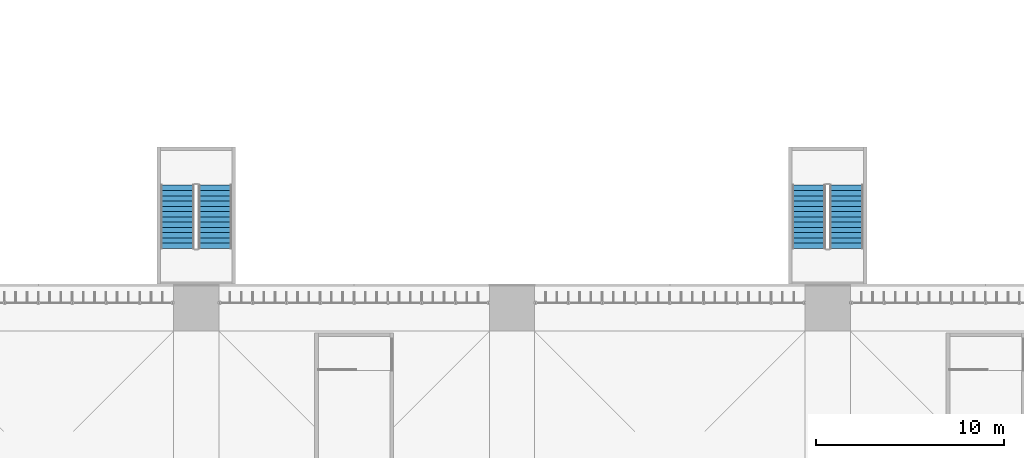
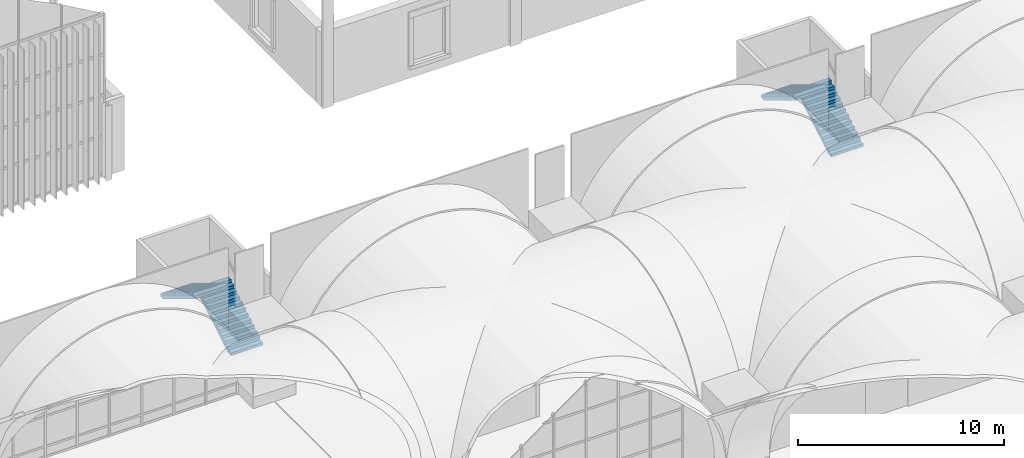
# One storey, part 108 of 169: 4 stair flights, 2 elements without a shape of their own.
"""IFC4 building model written with IfcOpenShell, lengths in metres."""

import ifcopenshell
import ifcopenshell.guid

model = None  # the IFC model being written
_history = None  # IfcOwnerHistory: only IFC2X3 demands one
_inside = {}  # id of a spatial element -> (the spatial element, [elements in it])
_under = {}  # id of a project, library or spatial element -> (it, [spatial elements below it])
_declared = {}  # id of a project -> (the project, [libraries it declares])
_typed = {}  # id of a type object -> (the type object, [elements of that type])
_made_of = {}  # id of a material, layer set ... -> (it, [elements and type objects made of it])


def new_model(schema):
    """Start an empty IFC model of exactly this schema.

    Asked for "IFC4X3", IfcOpenShell would pick the latest addendum, in which some entities
    have other attributes; the version numbers below select the first issue.
    IFC2X3 requires an IfcOwnerHistory on every rooted entity: one is made here for all.
    """
    global model, _history
    if schema == "IFC4X3":
        model = ifcopenshell.file(schema_version=(4, 3, 0, 0))
    else:
        model = ifcopenshell.file(schema=schema)
    _inside.clear()
    _under.clear()
    _declared.clear()
    _typed.clear()
    _made_of.clear()
    _history = None
    if model.schema == "IFC2X3":
        org = make("IfcOrganization", Name="unknown")
        user = make(
            "IfcPersonAndOrganization",
            ThePerson=make("IfcPerson", FamilyName="unknown"),
            TheOrganization=org,
        )
        app = make(
            "IfcApplication",
            ApplicationDeveloper=org,
            Version="unknown",
            ApplicationFullName="unknown",
            ApplicationIdentifier="unknown",
        )
        _history = make(
            "IfcOwnerHistory",
            OwningUser=user,
            OwningApplication=app,
            ChangeAction="ADDED",
            CreationDate=0,
        )
    return model


def make(cls, **values):
    """One entity of the class cls with the attributes given. An attribute that is None is left unset."""
    return model.create_entity(
        cls, **{name: value for name, value in values.items() if value is not None}
    )


def rooted(cls, **values):
    """An entity with a GlobalId (a new one), such as an element, a storey or a relation."""
    return make(cls, GlobalId=ifcopenshell.guid.new(), OwnerHistory=_history, **values)


def si_unit(unit_type, name, prefix=None):
    """IfcSIUnit, for example si_unit("LENGTHUNIT", "METRE", prefix="MILLI")."""
    return make("IfcSIUnit", UnitType=unit_type, Prefix=prefix, Name=name)


def assignment(units):
    """IfcUnitAssignment: the units of a project."""
    return None if units is None else make("IfcUnitAssignment", Units=units)


def point(xyz):
    """IfcCartesianPoint."""
    return None if xyz is None else make("IfcCartesianPoint", Coordinates=xyz)


def direction(xyz):
    """IfcDirection."""
    return None if xyz is None else make("IfcDirection", DirectionRatios=xyz)


def frame(location, z_axis=None, x_axis=None):
    """IfcAxis2Placement3D, a coordinate frame: its origin and axes. An axis left out is left unset."""
    return make(
        "IfcAxis2Placement3D",
        Location=point(location),
        Axis=direction(z_axis),
        RefDirection=direction(x_axis),
    )


def origin():
    """The frame at (0, 0, 0) with its axes left unset."""
    return frame((0.0, 0.0, 0.0))


def place(relative_to, where):
    """IfcLocalPlacement: puts the frame where relative to a parent placement (None: the world)."""
    return make(
        "IfcLocalPlacement", PlacementRelTo=relative_to, RelativePlacement=where
    )


def context(
    kind, dimensions, precision=None, world=None, true_north=None, identifier=None
):
    """IfcGeometricRepresentationContext, for example the 3D "Model" context."""
    return make(
        "IfcGeometricRepresentationContext",
        ContextIdentifier=identifier,
        ContextType=kind,
        CoordinateSpaceDimension=dimensions,
        Precision=precision,
        WorldCoordinateSystem=world,
        TrueNorth=true_north,
    )


def subcontext(parent, identifier, kind, view, scale=None):
    """IfcGeometricRepresentationSubContext, for example "Body" below "Model"."""
    return make(
        "IfcGeometricRepresentationSubContext",
        ContextIdentifier=identifier,
        ContextType=kind,
        ParentContext=parent,
        TargetScale=scale,
        TargetView=view,
    )


def project(units=None, contexts=None):
    """IfcProject with its units and contexts."""
    return rooted(
        "IfcProject",
        Name="project",
        RepresentationContexts=contexts,
        UnitsInContext=assignment(units),
    )


def spatial(cls, under=None, at=None, **own):
    """A site, building, storey or space (cls), placed at a placement, below another one or the project."""
    s = rooted(cls, ObjectPlacement=at, **own)
    if under is not None:
        _under.setdefault(under.id(), (under, []))[1].append(s)
    return s


def point_list(points):
    """IfcCartesianPointList2D or 3D."""
    cls = (
        "IfcCartesianPointList2D" if len(points[0]) == 2 else "IfcCartesianPointList3D"
    )
    return make(cls, CoordList=points)


def polygons(points, faces, closed=None, point_numbers=None):
    """IfcPolygonalFaceSet: a face is its outer loop, then its inner loops; points numbered from 1."""
    made = []
    for loops in faces:
        if len(loops) == 1:
            made.append(make("IfcIndexedPolygonalFace", CoordIndex=loops[0]))
        else:
            made.append(
                make(
                    "IfcIndexedPolygonalFaceWithVoids",
                    CoordIndex=loops[0],
                    InnerCoordIndices=loops[1:],
                )
            )
    return make(
        "IfcPolygonalFaceSet",
        Coordinates=point_list(points),
        Closed=closed,
        Faces=made,
        PnIndex=point_numbers,
    )


def shape(context_of_items, identifier, shape_type, items):
    """IfcShapeRepresentation: the items that make up one representation, for example the "Body"."""
    return make(
        "IfcShapeRepresentation",
        ContextOfItems=context_of_items,
        RepresentationIdentifier=identifier,
        RepresentationType=shape_type,
        Items=items,
    )


def material(Name=None, Category=None):
    """IfcMaterial."""
    return make("IfcMaterial", Name=Name, Category=Category)


def made_of(thing, what):
    """Note that an element or type object is made of a material, layer set ...; save() writes the relation."""
    if what is not None:
        _made_of.setdefault(what.id(), (what, []))[1].append(thing)
    return thing


def type_object(cls, material=None, **own):
    """A type object (cls), such as IfcWallType, which elements share."""
    return made_of(rooted(cls, **own), material)


def element(
    cls,
    number,
    at=None,
    inside=None,
    cuts=None,
    type_object=None,
    material=None,
    context=None,
    identifier="Body",
    shape_type=None,
    held_by="IfcProductDefinitionShape",
    body=None,
    shapes=None,
    **own,
):
    """One element of the class cls, such as IfcWall. Its Tag is "e" and its number.

    at: its placement. inside: the storey or other place that contains it. cuts: it is an
    opening in that element (IfcRelVoidsElement). A single representation is given by context,
    identifier, shape_type and body (its items); several are given by shapes. held_by: the class
    of the entity that holds the representations. save() writes the other relations.
    """
    e = rooted(cls, Tag="e%d" % number, ObjectPlacement=at, **own)
    if body is not None:
        shapes = [shape(context, identifier, shape_type, body)]
    if shapes is not None:
        e.Representation = make(held_by, Representations=shapes)
    if inside is not None:
        _inside.setdefault(inside.id(), (inside, []))[1].append(e)
    if cuts is not None:
        rooted(
            "IfcRelVoidsElement", RelatingBuildingElement=cuts, RelatedOpeningElement=e
        )
    if type_object is not None:
        _typed.setdefault(type_object.id(), (type_object, []))[1].append(e)
    return made_of(e, material)


def aggregate(whole, parts):
    """IfcRelAggregates: a whole, such as a stair, and the parts it consists of."""
    return rooted("IfcRelAggregates", RelatingObject=whole, RelatedObjects=parts)


def save(model, path):
    """Write the relations noted so far, then the file.

    IfcRelAggregates (storeys below a building ...), IfcRelContainedInSpatialStructure (elements
    in a storey), IfcRelDefinesByType, IfcRelAssociatesMaterial and IfcRelDeclares: one each for
    every whole, place, type object, material and project.
    """
    for whole, parts in _under.values():
        aggregate(whole, parts)
    for where, things in _inside.values():
        rooted(
            "IfcRelContainedInSpatialStructure",
            RelatedElements=things,
            RelatingStructure=where,
        )
    for kind, things in _typed.values():
        rooted("IfcRelDefinesByType", RelatedObjects=things, RelatingType=kind)
    for what, things in _made_of.values():
        rooted("IfcRelAssociatesMaterial", RelatedObjects=things, RelatingMaterial=what)
    for by, libraries in _declared.values():
        rooted("IfcRelDeclares", RelatingContext=by, RelatedDefinitions=libraries)
    model.write(path)


model = new_model("IFC4")

# Units and contexts
model_context = context("Model", 3, precision=1e-05, world=origin(), true_north=direction((0.0, 1.0)))
body_context = subcontext(model_context, "Body", "Model", "MODEL_VIEW")
ifc_project = project(units=[si_unit("LENGTHUNIT", "METRE"), si_unit("AREAUNIT", "SQUARE_METRE"), si_unit("VOLUMEUNIT", "CUBIC_METRE"), si_unit("PLANEANGLEUNIT", "RADIAN"), si_unit("MASSUNIT", "GRAM", prefix="KILO")], contexts=[model_context])

# Site, building, storey
site_placement = place(None, origin())
site = spatial("IfcSite", under=ifc_project, at=site_placement, CompositionType="ELEMENT")
building_placement = place(site_placement, origin())
building = spatial("IfcBuilding", under=site, at=building_placement, Name="Verrick Yard Athletic Hall", CompositionType="ELEMENT")
storey_placement = place(building_placement, frame((0.0, 0.0, 4.39990234375)))
storey = spatial("IfcBuildingStorey", under=building, at=storey_placement, Name="L01", CompositionType="ELEMENT", Elevation=4.39990234375)

# Stair, stair flights
ifc_material = material(Name="Concrete 35 MPa", Category="concrete")
stair_type = type_object("IfcStairType", Name="Stair ST3 1800 wide 26 risers", PredefinedType="HALF_TURN_STAIR", material=ifc_material)
stair_1_placement = place(storey_placement, origin())
stair_1 = element("IfcStair", 1, at=stair_1_placement, inside=storey, type_object=stair_type, Name="North deck escape 2 stair L01", PredefinedType="HALF_TURN_STAIR")
stair_flight_type = type_object("IfcStairFlightType", Name="Stair flight SF3 1800 wide 13 risers", PredefinedType="STRAIGHT", material=ifc_material)
stair_flight_1_placement = place(storey_placement, frame((108.199951171875, 56.0, 0.0), z_axis=(0.0, 0.0, 1.0), x_axis=(0.0, 1.0, 0.0)))
stair_flight_1 = element("IfcStairFlight", 2, at=stair_flight_1_placement, type_object=stair_flight_type, Name="ST3 flight 1", NumberOfRisers=13, NumberOfTreads=12, PredefinedType="STRAIGHT", RiserHeight=0.169230769, TreadLength=0.28, context=body_context, shape_type="Tessellation", body=[
    polygons([(0.28980123017674275, -0.89990234375, 0.0), (3.3600000000000003, -0.89990234375, 1.855614638571585), (3.3600000000000003, -0.89990234375, 2.030769228), (3.08, -0.89990234375, 2.030769228), (3.08, -0.89990234375, 1.8615384590000001), (2.8000000000000003, -0.89990234375, 1.8615384590000001), (2.8000000000000003, -0.89990234375, 1.69230769), (2.5200000000000005, -0.89990234375, 1.69230769), (2.5200000000000005, -0.89990234375, 1.523076921), (2.24, -0.89990234375, 1.523076921), (2.24, -0.89990234375, 1.353846152), (1.9600000000000002, -0.89990234375, 1.353846152), (1.9600000000000002, -0.89990234375, 1.1846153830000001), (1.6800000000000002, -0.89990234375, 1.1846153830000001), (1.6800000000000002, -0.89990234375, 1.015384614), (1.4000000000000001, -0.89990234375, 1.015384614), (1.4000000000000001, -0.89990234375, 0.846153845), (1.12, -0.89990234375, 0.846153845), (1.12, -0.89990234375, 0.676923076), (0.8400000000000001, -0.89990234375, 0.676923076), (0.8400000000000001, -0.89990234375, 0.507692307), (0.56, -0.89990234375, 0.507692307), (0.56, -0.89990234375, 0.338461538), (0.28, -0.89990234375, 0.338461538), (0.28, -0.89990234375, 0.169230769), (0.0, -0.89990234375, 0.169230769), (0.0, -0.89990234375, 0.0), (0.28980123017674275, -0.179931640625, 0.0), (3.3600000000000003, -0.179931640625, 1.855614638571585), (3.3600000000000003, -0.179931640625, 2.030769228), (3.08, -0.179931640625, 2.030769228), (3.08, -0.179931640625, 1.8615384590000001), (2.8000000000000003, -0.179931640625, 1.8615384590000001), (2.8000000000000003, -0.179931640625, 1.69230769), (2.5200000000000005, -0.179931640625, 1.69230769), (2.5200000000000005, -0.179931640625, 1.523076921), (2.24, -0.179931640625, 1.523076921), (2.24, -0.179931640625, 1.353846152), (1.9600000000000002, -0.179931640625, 1.353846152), (1.9600000000000002, -0.179931640625, 1.1846153830000001), (1.6800000000000002, -0.179931640625, 1.1846153830000001), (1.6800000000000002, -0.179931640625, 1.015384614), (1.4000000000000001, -0.179931640625, 1.015384614), (1.4000000000000001, -0.179931640625, 0.846153845), (1.12, -0.179931640625, 0.846153845), (1.12, -0.179931640625, 0.676923076), (0.8400000000000001, -0.179931640625, 0.676923076), (0.8400000000000001, -0.179931640625, 0.507692307), (0.56, -0.179931640625, 0.507692307), (0.56, -0.179931640625, 0.338461538), (0.28, -0.179931640625, 0.338461538), (0.28, -0.179931640625, 0.169230769), (0.0, -0.179931640625, 0.169230769), (0.0, -0.179931640625, 0.0), (0.28980123017674275, 0.179931640625, 0.0), (3.3600000000000003, 0.179931640625, 1.855614638571585), (3.3600000000000003, 0.179931640625, 2.030769228), (3.08, 0.179931640625, 2.030769228), (3.08, 0.179931640625, 1.8615384590000001), (2.8000000000000003, 0.179931640625, 1.8615384590000001), (2.8000000000000003, 0.179931640625, 1.69230769), (2.5200000000000005, 0.179931640625, 1.69230769), (2.5200000000000005, 0.179931640625, 1.523076921), (2.24, 0.179931640625, 1.523076921), (2.24, 0.179931640625, 1.353846152), (1.9600000000000002, 0.179931640625, 1.353846152), (1.9600000000000002, 0.179931640625, 1.1846153830000001), (1.6800000000000002, 0.179931640625, 1.1846153830000001), (1.6800000000000002, 0.179931640625, 1.015384614), (1.4000000000000001, 0.179931640625, 1.015384614), (1.4000000000000001, 0.179931640625, 0.846153845), (1.12, 0.179931640625, 0.846153845), (1.12, 0.179931640625, 0.676923076), (0.8400000000000001, 0.179931640625, 0.676923076), (0.8400000000000001, 0.179931640625, 0.507692307), (0.56, 0.179931640625, 0.507692307), (0.56, 0.179931640625, 0.338461538), (0.28, 0.179931640625, 0.338461538), (0.28, 0.179931640625, 0.169230769), (0.0, 0.179931640625, 0.169230769), (0.0, 0.179931640625, 0.0), (0.28980123017674275, 0.89990234375, 0.0), (3.3600000000000003, 0.89990234375, 1.855614638571585), (3.3600000000000003, 0.89990234375, 2.030769228), (3.08, 0.89990234375, 2.030769228), (3.08, 0.89990234375, 1.8615384590000001), (2.8000000000000003, 0.89990234375, 1.8615384590000001), (2.8000000000000003, 0.89990234375, 1.69230769), (2.5200000000000005, 0.89990234375, 1.69230769), (2.5200000000000005, 0.89990234375, 1.523076921), (2.24, 0.89990234375, 1.523076921), (2.24, 0.89990234375, 1.353846152), (1.9600000000000002, 0.89990234375, 1.353846152), (1.9600000000000002, 0.89990234375, 1.1846153830000001), (1.6800000000000002, 0.89990234375, 1.1846153830000001), (1.6800000000000002, 0.89990234375, 1.015384614), (1.4000000000000001, 0.89990234375, 1.015384614), (1.4000000000000001, 0.89990234375, 0.846153845), (1.12, 0.89990234375, 0.846153845), (1.12, 0.89990234375, 0.676923076), (0.8400000000000001, 0.89990234375, 0.676923076), (0.8400000000000001, 0.89990234375, 0.507692307), (0.56, 0.89990234375, 0.507692307), (0.56, 0.89990234375, 0.338461538), (0.28, 0.89990234375, 0.338461538), (0.28, 0.89990234375, 0.169230769), (0.0, 0.89990234375, 0.169230769), (0.0, 0.89990234375, 0.0)], [[[1, 2, 3, 4, 5, 6, 7, 8, 9, 10, 11, 12, 13, 14, 15, 16, 17, 18, 19, 20, 21, 22, 23, 24, 25, 26, 27]], [[108, 107, 106, 105, 104, 103, 102, 101, 100, 99, 98, 97, 96, 95, 94, 93, 92, 91, 90, 89, 88, 87, 86, 85, 84, 83, 82]], [[1, 28, 29, 2]], [[2, 29, 30, 3]], [[3, 30, 31, 4]], [[4, 31, 32, 5]], [[5, 32, 33, 6]], [[6, 33, 34, 7]], [[7, 34, 35, 8]], [[8, 35, 36, 9]], [[9, 36, 37, 10]], [[10, 37, 38, 11]], [[11, 38, 39, 12]], [[12, 39, 40, 13]], [[13, 40, 41, 14]], [[14, 41, 42, 15]], [[15, 42, 43, 16]], [[16, 43, 44, 17]], [[17, 44, 45, 18]], [[18, 45, 46, 19]], [[19, 46, 47, 20]], [[20, 47, 48, 21]], [[21, 48, 49, 22]], [[22, 49, 50, 23]], [[23, 50, 51, 24]], [[24, 51, 52, 25]], [[25, 52, 53, 26]], [[26, 53, 54, 27]], [[27, 54, 28, 1]], [[28, 55, 56, 29]], [[29, 56, 57, 30]], [[30, 57, 58, 31]], [[31, 58, 59, 32]], [[32, 59, 60, 33]], [[33, 60, 61, 34]], [[34, 61, 62, 35]], [[35, 62, 63, 36]], [[36, 63, 64, 37]], [[37, 64, 65, 38]], [[38, 65, 66, 39]], [[39, 66, 67, 40]], [[40, 67, 68, 41]], [[41, 68, 69, 42]], [[42, 69, 70, 43]], [[43, 70, 71, 44]], [[44, 71, 72, 45]], [[45, 72, 73, 46]], [[46, 73, 74, 47]], [[47, 74, 75, 48]], [[48, 75, 76, 49]], [[49, 76, 77, 50]], [[50, 77, 78, 51]], [[51, 78, 79, 52]], [[52, 79, 80, 53]], [[53, 80, 81, 54]], [[54, 81, 55, 28]], [[55, 82, 83, 56]], [[56, 83, 84, 57]], [[57, 84, 85, 58]], [[58, 85, 86, 59]], [[59, 86, 87, 60]], [[60, 87, 88, 61]], [[61, 88, 89, 62]], [[62, 89, 90, 63]], [[63, 90, 91, 64]], [[64, 91, 92, 65]], [[65, 92, 93, 66]], [[66, 93, 94, 67]], [[67, 94, 95, 68]], [[68, 95, 96, 69]], [[69, 96, 97, 70]], [[70, 97, 98, 71]], [[71, 98, 99, 72]], [[72, 99, 100, 73]], [[73, 100, 101, 74]], [[74, 101, 102, 75]], [[75, 102, 103, 76]], [[76, 103, 104, 77]], [[77, 104, 105, 78]], [[78, 105, 106, 79]], [[79, 106, 107, 80]], [[80, 107, 108, 81]], [[81, 108, 82, 55]]], closed=True),
])
stair_flight_2_placement = place(storey_placement, frame((106.199951171875, 59.360107421875, 2.2001953125), z_axis=(0.0, 0.0, 1.0), x_axis=(0.0, -1.0, 0.0)))
stair_flight_2 = element("IfcStairFlight", 3, at=stair_flight_2_placement, type_object=stair_flight_type, Name="ST3 flight 2", NumberOfRisers=13, NumberOfTreads=12, PredefinedType="STRAIGHT", RiserHeight=0.169230769, TreadLength=0.28, context=body_context, shape_type="Tessellation", body=[
    polygons([(0.28980123017674275, -0.89990234375, 0.0), (3.3600000000000003, -0.89990234375, 1.855614638571585), (3.3600000000000003, -0.89990234375, 2.030769228), (3.08, -0.89990234375, 2.030769228), (3.08, -0.89990234375, 1.8615384590000001), (2.8000000000000003, -0.89990234375, 1.8615384590000001), (2.8000000000000003, -0.89990234375, 1.69230769), (2.5200000000000005, -0.89990234375, 1.69230769), (2.5200000000000005, -0.89990234375, 1.523076921), (2.24, -0.89990234375, 1.523076921), (2.24, -0.89990234375, 1.353846152), (1.9600000000000002, -0.89990234375, 1.353846152), (1.9600000000000002, -0.89990234375, 1.1846153830000001), (1.6800000000000002, -0.89990234375, 1.1846153830000001), (1.6800000000000002, -0.89990234375, 1.015384614), (1.4000000000000001, -0.89990234375, 1.015384614), (1.4000000000000001, -0.89990234375, 0.846153845), (1.12, -0.89990234375, 0.846153845), (1.12, -0.89990234375, 0.676923076), (0.8400000000000001, -0.89990234375, 0.676923076), (0.8400000000000001, -0.89990234375, 0.507692307), (0.56, -0.89990234375, 0.507692307), (0.56, -0.89990234375, 0.338461538), (0.28, -0.89990234375, 0.338461538), (0.28, -0.89990234375, 0.169230769), (0.0, -0.89990234375, 0.169230769), (0.0, -0.89990234375, 0.0), (0.28980123017674275, -0.179931640625, 0.0), (3.3600000000000003, -0.179931640625, 1.855614638571585), (3.3600000000000003, -0.179931640625, 2.030769228), (3.08, -0.179931640625, 2.030769228), (3.08, -0.179931640625, 1.8615384590000001), (2.8000000000000003, -0.179931640625, 1.8615384590000001), (2.8000000000000003, -0.179931640625, 1.69230769), (2.5200000000000005, -0.179931640625, 1.69230769), (2.5200000000000005, -0.179931640625, 1.523076921), (2.24, -0.179931640625, 1.523076921), (2.24, -0.179931640625, 1.353846152), (1.9600000000000002, -0.179931640625, 1.353846152), (1.9600000000000002, -0.179931640625, 1.1846153830000001), (1.6800000000000002, -0.179931640625, 1.1846153830000001), (1.6800000000000002, -0.179931640625, 1.015384614), (1.4000000000000001, -0.179931640625, 1.015384614), (1.4000000000000001, -0.179931640625, 0.846153845), (1.12, -0.179931640625, 0.846153845), (1.12, -0.179931640625, 0.676923076), (0.8400000000000001, -0.179931640625, 0.676923076), (0.8400000000000001, -0.179931640625, 0.507692307), (0.56, -0.179931640625, 0.507692307), (0.56, -0.179931640625, 0.338461538), (0.28, -0.179931640625, 0.338461538), (0.28, -0.179931640625, 0.169230769), (0.0, -0.179931640625, 0.169230769), (0.0, -0.179931640625, 0.0), (0.28980123017674275, 0.179931640625, 0.0), (3.3600000000000003, 0.179931640625, 1.855614638571585), (3.3600000000000003, 0.179931640625, 2.030769228), (3.08, 0.179931640625, 2.030769228), (3.08, 0.179931640625, 1.8615384590000001), (2.8000000000000003, 0.179931640625, 1.8615384590000001), (2.8000000000000003, 0.179931640625, 1.69230769), (2.5200000000000005, 0.179931640625, 1.69230769), (2.5200000000000005, 0.179931640625, 1.523076921), (2.24, 0.179931640625, 1.523076921), (2.24, 0.179931640625, 1.353846152), (1.9600000000000002, 0.179931640625, 1.353846152), (1.9600000000000002, 0.179931640625, 1.1846153830000001), (1.6800000000000002, 0.179931640625, 1.1846153830000001), (1.6800000000000002, 0.179931640625, 1.015384614), (1.4000000000000001, 0.179931640625, 1.015384614), (1.4000000000000001, 0.179931640625, 0.846153845), (1.12, 0.179931640625, 0.846153845), (1.12, 0.179931640625, 0.676923076), (0.8400000000000001, 0.179931640625, 0.676923076), (0.8400000000000001, 0.179931640625, 0.507692307), (0.56, 0.179931640625, 0.507692307), (0.56, 0.179931640625, 0.338461538), (0.28, 0.179931640625, 0.338461538), (0.28, 0.179931640625, 0.169230769), (0.0, 0.179931640625, 0.169230769), (0.0, 0.179931640625, 0.0), (0.28980123017674275, 0.89990234375, 0.0), (3.3600000000000003, 0.89990234375, 1.855614638571585), (3.3600000000000003, 0.89990234375, 2.030769228), (3.08, 0.89990234375, 2.030769228), (3.08, 0.89990234375, 1.8615384590000001), (2.8000000000000003, 0.89990234375, 1.8615384590000001), (2.8000000000000003, 0.89990234375, 1.69230769), (2.5200000000000005, 0.89990234375, 1.69230769), (2.5200000000000005, 0.89990234375, 1.523076921), (2.24, 0.89990234375, 1.523076921), (2.24, 0.89990234375, 1.353846152), (1.9600000000000002, 0.89990234375, 1.353846152), (1.9600000000000002, 0.89990234375, 1.1846153830000001), (1.6800000000000002, 0.89990234375, 1.1846153830000001), (1.6800000000000002, 0.89990234375, 1.015384614), (1.4000000000000001, 0.89990234375, 1.015384614), (1.4000000000000001, 0.89990234375, 0.846153845), (1.12, 0.89990234375, 0.846153845), (1.12, 0.89990234375, 0.676923076), (0.8400000000000001, 0.89990234375, 0.676923076), (0.8400000000000001, 0.89990234375, 0.507692307), (0.56, 0.89990234375, 0.507692307), (0.56, 0.89990234375, 0.338461538), (0.28, 0.89990234375, 0.338461538), (0.28, 0.89990234375, 0.169230769), (0.0, 0.89990234375, 0.169230769), (0.0, 0.89990234375, 0.0)], [[[1, 2, 3, 4, 5, 6, 7, 8, 9, 10, 11, 12, 13, 14, 15, 16, 17, 18, 19, 20, 21, 22, 23, 24, 25, 26, 27]], [[108, 107, 106, 105, 104, 103, 102, 101, 100, 99, 98, 97, 96, 95, 94, 93, 92, 91, 90, 89, 88, 87, 86, 85, 84, 83, 82]], [[1, 28, 29, 2]], [[2, 29, 30, 3]], [[3, 30, 31, 4]], [[4, 31, 32, 5]], [[5, 32, 33, 6]], [[6, 33, 34, 7]], [[7, 34, 35, 8]], [[8, 35, 36, 9]], [[9, 36, 37, 10]], [[10, 37, 38, 11]], [[11, 38, 39, 12]], [[12, 39, 40, 13]], [[13, 40, 41, 14]], [[14, 41, 42, 15]], [[15, 42, 43, 16]], [[16, 43, 44, 17]], [[17, 44, 45, 18]], [[18, 45, 46, 19]], [[19, 46, 47, 20]], [[20, 47, 48, 21]], [[21, 48, 49, 22]], [[22, 49, 50, 23]], [[23, 50, 51, 24]], [[24, 51, 52, 25]], [[25, 52, 53, 26]], [[26, 53, 54, 27]], [[27, 54, 28, 1]], [[28, 55, 56, 29]], [[29, 56, 57, 30]], [[30, 57, 58, 31]], [[31, 58, 59, 32]], [[32, 59, 60, 33]], [[33, 60, 61, 34]], [[34, 61, 62, 35]], [[35, 62, 63, 36]], [[36, 63, 64, 37]], [[37, 64, 65, 38]], [[38, 65, 66, 39]], [[39, 66, 67, 40]], [[40, 67, 68, 41]], [[41, 68, 69, 42]], [[42, 69, 70, 43]], [[43, 70, 71, 44]], [[44, 71, 72, 45]], [[45, 72, 73, 46]], [[46, 73, 74, 47]], [[47, 74, 75, 48]], [[48, 75, 76, 49]], [[49, 76, 77, 50]], [[50, 77, 78, 51]], [[51, 78, 79, 52]], [[52, 79, 80, 53]], [[53, 80, 81, 54]], [[54, 81, 55, 28]], [[55, 82, 83, 56]], [[56, 83, 84, 57]], [[57, 84, 85, 58]], [[58, 85, 86, 59]], [[59, 86, 87, 60]], [[60, 87, 88, 61]], [[61, 88, 89, 62]], [[62, 89, 90, 63]], [[63, 90, 91, 64]], [[64, 91, 92, 65]], [[65, 92, 93, 66]], [[66, 93, 94, 67]], [[67, 94, 95, 68]], [[68, 95, 96, 69]], [[69, 96, 97, 70]], [[70, 97, 98, 71]], [[71, 98, 99, 72]], [[72, 99, 100, 73]], [[73, 100, 101, 74]], [[74, 101, 102, 75]], [[75, 102, 103, 76]], [[76, 103, 104, 77]], [[77, 104, 105, 78]], [[78, 105, 106, 79]], [[79, 106, 107, 80]], [[80, 107, 108, 81]], [[81, 108, 82, 55]]], closed=True),
])
aggregate(stair_1, [stair_flight_1, stair_flight_2])

stair_2_placement = place(storey_placement, origin())
stair_2 = element("IfcStair", 4, at=stair_2_placement, inside=storey, type_object=stair_type, Name="North deck escape 3 stair L01", PredefinedType="HALF_TURN_STAIR")
stair_flight_3_placement = place(storey_placement, frame((74.60009765625, 56.0, 0.0), z_axis=(0.0, 0.0, 1.0), x_axis=(0.0, 1.0, 0.0)))
stair_flight_3 = element("IfcStairFlight", 5, at=stair_flight_3_placement, type_object=stair_flight_type, Name="ST3 flight 1", NumberOfRisers=13, NumberOfTreads=12, PredefinedType="STRAIGHT", RiserHeight=0.169230769, TreadLength=0.28, context=body_context, shape_type="Tessellation", body=[
    polygons([(0.28980123017674275, -0.89990234375, 0.0), (3.3600000000000003, -0.89990234375, 1.855614638571585), (3.3600000000000003, -0.89990234375, 2.030769228), (3.08, -0.89990234375, 2.030769228), (3.08, -0.89990234375, 1.8615384590000001), (2.8000000000000003, -0.89990234375, 1.8615384590000001), (2.8000000000000003, -0.89990234375, 1.69230769), (2.5200000000000005, -0.89990234375, 1.69230769), (2.5200000000000005, -0.89990234375, 1.523076921), (2.24, -0.89990234375, 1.523076921), (2.24, -0.89990234375, 1.353846152), (1.9600000000000002, -0.89990234375, 1.353846152), (1.9600000000000002, -0.89990234375, 1.1846153830000001), (1.6800000000000002, -0.89990234375, 1.1846153830000001), (1.6800000000000002, -0.89990234375, 1.015384614), (1.4000000000000001, -0.89990234375, 1.015384614), (1.4000000000000001, -0.89990234375, 0.846153845), (1.12, -0.89990234375, 0.846153845), (1.12, -0.89990234375, 0.676923076), (0.8400000000000001, -0.89990234375, 0.676923076), (0.8400000000000001, -0.89990234375, 0.507692307), (0.56, -0.89990234375, 0.507692307), (0.56, -0.89990234375, 0.338461538), (0.28, -0.89990234375, 0.338461538), (0.28, -0.89990234375, 0.169230769), (0.0, -0.89990234375, 0.169230769), (0.0, -0.89990234375, 0.0), (0.28980123017674275, -0.179931640625, 0.0), (3.3600000000000003, -0.179931640625, 1.855614638571585), (3.3600000000000003, -0.179931640625, 2.030769228), (3.08, -0.179931640625, 2.030769228), (3.08, -0.179931640625, 1.8615384590000001), (2.8000000000000003, -0.179931640625, 1.8615384590000001), (2.8000000000000003, -0.179931640625, 1.69230769), (2.5200000000000005, -0.179931640625, 1.69230769), (2.5200000000000005, -0.179931640625, 1.523076921), (2.24, -0.179931640625, 1.523076921), (2.24, -0.179931640625, 1.353846152), (1.9600000000000002, -0.179931640625, 1.353846152), (1.9600000000000002, -0.179931640625, 1.1846153830000001), (1.6800000000000002, -0.179931640625, 1.1846153830000001), (1.6800000000000002, -0.179931640625, 1.015384614), (1.4000000000000001, -0.179931640625, 1.015384614), (1.4000000000000001, -0.179931640625, 0.846153845), (1.12, -0.179931640625, 0.846153845), (1.12, -0.179931640625, 0.676923076), (0.8400000000000001, -0.179931640625, 0.676923076), (0.8400000000000001, -0.179931640625, 0.507692307), (0.56, -0.179931640625, 0.507692307), (0.56, -0.179931640625, 0.338461538), (0.28, -0.179931640625, 0.338461538), (0.28, -0.179931640625, 0.169230769), (0.0, -0.179931640625, 0.169230769), (0.0, -0.179931640625, 0.0), (0.28980123017674275, 0.179931640625, 0.0), (3.3600000000000003, 0.179931640625, 1.855614638571585), (3.3600000000000003, 0.179931640625, 2.030769228), (3.08, 0.179931640625, 2.030769228), (3.08, 0.179931640625, 1.8615384590000001), (2.8000000000000003, 0.179931640625, 1.8615384590000001), (2.8000000000000003, 0.179931640625, 1.69230769), (2.5200000000000005, 0.179931640625, 1.69230769), (2.5200000000000005, 0.179931640625, 1.523076921), (2.24, 0.179931640625, 1.523076921), (2.24, 0.179931640625, 1.353846152), (1.9600000000000002, 0.179931640625, 1.353846152), (1.9600000000000002, 0.179931640625, 1.1846153830000001), (1.6800000000000002, 0.179931640625, 1.1846153830000001), (1.6800000000000002, 0.179931640625, 1.015384614), (1.4000000000000001, 0.179931640625, 1.015384614), (1.4000000000000001, 0.179931640625, 0.846153845), (1.12, 0.179931640625, 0.846153845), (1.12, 0.179931640625, 0.676923076), (0.8400000000000001, 0.179931640625, 0.676923076), (0.8400000000000001, 0.179931640625, 0.507692307), (0.56, 0.179931640625, 0.507692307), (0.56, 0.179931640625, 0.338461538), (0.28, 0.179931640625, 0.338461538), (0.28, 0.179931640625, 0.169230769), (0.0, 0.179931640625, 0.169230769), (0.0, 0.179931640625, 0.0), (0.28980123017674275, 0.89990234375, 0.0), (3.3600000000000003, 0.89990234375, 1.855614638571585), (3.3600000000000003, 0.89990234375, 2.030769228), (3.08, 0.89990234375, 2.030769228), (3.08, 0.89990234375, 1.8615384590000001), (2.8000000000000003, 0.89990234375, 1.8615384590000001), (2.8000000000000003, 0.89990234375, 1.69230769), (2.5200000000000005, 0.89990234375, 1.69230769), (2.5200000000000005, 0.89990234375, 1.523076921), (2.24, 0.89990234375, 1.523076921), (2.24, 0.89990234375, 1.353846152), (1.9600000000000002, 0.89990234375, 1.353846152), (1.9600000000000002, 0.89990234375, 1.1846153830000001), (1.6800000000000002, 0.89990234375, 1.1846153830000001), (1.6800000000000002, 0.89990234375, 1.015384614), (1.4000000000000001, 0.89990234375, 1.015384614), (1.4000000000000001, 0.89990234375, 0.846153845), (1.12, 0.89990234375, 0.846153845), (1.12, 0.89990234375, 0.676923076), (0.8400000000000001, 0.89990234375, 0.676923076), (0.8400000000000001, 0.89990234375, 0.507692307), (0.56, 0.89990234375, 0.507692307), (0.56, 0.89990234375, 0.338461538), (0.28, 0.89990234375, 0.338461538), (0.28, 0.89990234375, 0.169230769), (0.0, 0.89990234375, 0.169230769), (0.0, 0.89990234375, 0.0)], [[[1, 2, 3, 4, 5, 6, 7, 8, 9, 10, 11, 12, 13, 14, 15, 16, 17, 18, 19, 20, 21, 22, 23, 24, 25, 26, 27]], [[108, 107, 106, 105, 104, 103, 102, 101, 100, 99, 98, 97, 96, 95, 94, 93, 92, 91, 90, 89, 88, 87, 86, 85, 84, 83, 82]], [[1, 28, 29, 2]], [[2, 29, 30, 3]], [[3, 30, 31, 4]], [[4, 31, 32, 5]], [[5, 32, 33, 6]], [[6, 33, 34, 7]], [[7, 34, 35, 8]], [[8, 35, 36, 9]], [[9, 36, 37, 10]], [[10, 37, 38, 11]], [[11, 38, 39, 12]], [[12, 39, 40, 13]], [[13, 40, 41, 14]], [[14, 41, 42, 15]], [[15, 42, 43, 16]], [[16, 43, 44, 17]], [[17, 44, 45, 18]], [[18, 45, 46, 19]], [[19, 46, 47, 20]], [[20, 47, 48, 21]], [[21, 48, 49, 22]], [[22, 49, 50, 23]], [[23, 50, 51, 24]], [[24, 51, 52, 25]], [[25, 52, 53, 26]], [[26, 53, 54, 27]], [[27, 54, 28, 1]], [[28, 55, 56, 29]], [[29, 56, 57, 30]], [[30, 57, 58, 31]], [[31, 58, 59, 32]], [[32, 59, 60, 33]], [[33, 60, 61, 34]], [[34, 61, 62, 35]], [[35, 62, 63, 36]], [[36, 63, 64, 37]], [[37, 64, 65, 38]], [[38, 65, 66, 39]], [[39, 66, 67, 40]], [[40, 67, 68, 41]], [[41, 68, 69, 42]], [[42, 69, 70, 43]], [[43, 70, 71, 44]], [[44, 71, 72, 45]], [[45, 72, 73, 46]], [[46, 73, 74, 47]], [[47, 74, 75, 48]], [[48, 75, 76, 49]], [[49, 76, 77, 50]], [[50, 77, 78, 51]], [[51, 78, 79, 52]], [[52, 79, 80, 53]], [[53, 80, 81, 54]], [[54, 81, 55, 28]], [[55, 82, 83, 56]], [[56, 83, 84, 57]], [[57, 84, 85, 58]], [[58, 85, 86, 59]], [[59, 86, 87, 60]], [[60, 87, 88, 61]], [[61, 88, 89, 62]], [[62, 89, 90, 63]], [[63, 90, 91, 64]], [[64, 91, 92, 65]], [[65, 92, 93, 66]], [[66, 93, 94, 67]], [[67, 94, 95, 68]], [[68, 95, 96, 69]], [[69, 96, 97, 70]], [[70, 97, 98, 71]], [[71, 98, 99, 72]], [[72, 99, 100, 73]], [[73, 100, 101, 74]], [[74, 101, 102, 75]], [[75, 102, 103, 76]], [[76, 103, 104, 77]], [[77, 104, 105, 78]], [[78, 105, 106, 79]], [[79, 106, 107, 80]], [[80, 107, 108, 81]], [[81, 108, 82, 55]]], closed=True),
])
stair_flight_4_placement = place(storey_placement, frame((72.60009765625, 59.360107421875, 2.2001953125), z_axis=(0.0, 0.0, 1.0), x_axis=(0.0, -1.0, 0.0)))
stair_flight_4 = element("IfcStairFlight", 6, at=stair_flight_4_placement, type_object=stair_flight_type, Name="ST3 flight 2", NumberOfRisers=13, NumberOfTreads=12, PredefinedType="STRAIGHT", RiserHeight=0.169230769, TreadLength=0.28, context=body_context, shape_type="Tessellation", body=[
    polygons([(0.28980123017674275, -0.89990234375, 0.0), (3.3600000000000003, -0.89990234375, 1.855614638571585), (3.3600000000000003, -0.89990234375, 2.030769228), (3.08, -0.89990234375, 2.030769228), (3.08, -0.89990234375, 1.8615384590000001), (2.8000000000000003, -0.89990234375, 1.8615384590000001), (2.8000000000000003, -0.89990234375, 1.69230769), (2.5200000000000005, -0.89990234375, 1.69230769), (2.5200000000000005, -0.89990234375, 1.523076921), (2.24, -0.89990234375, 1.523076921), (2.24, -0.89990234375, 1.353846152), (1.9600000000000002, -0.89990234375, 1.353846152), (1.9600000000000002, -0.89990234375, 1.1846153830000001), (1.6800000000000002, -0.89990234375, 1.1846153830000001), (1.6800000000000002, -0.89990234375, 1.015384614), (1.4000000000000001, -0.89990234375, 1.015384614), (1.4000000000000001, -0.89990234375, 0.846153845), (1.12, -0.89990234375, 0.846153845), (1.12, -0.89990234375, 0.676923076), (0.8400000000000001, -0.89990234375, 0.676923076), (0.8400000000000001, -0.89990234375, 0.507692307), (0.56, -0.89990234375, 0.507692307), (0.56, -0.89990234375, 0.338461538), (0.28, -0.89990234375, 0.338461538), (0.28, -0.89990234375, 0.169230769), (0.0, -0.89990234375, 0.169230769), (0.0, -0.89990234375, 0.0), (0.28980123017674275, -0.179931640625, 0.0), (3.3600000000000003, -0.179931640625, 1.855614638571585), (3.3600000000000003, -0.179931640625, 2.030769228), (3.08, -0.179931640625, 2.030769228), (3.08, -0.179931640625, 1.8615384590000001), (2.8000000000000003, -0.179931640625, 1.8615384590000001), (2.8000000000000003, -0.179931640625, 1.69230769), (2.5200000000000005, -0.179931640625, 1.69230769), (2.5200000000000005, -0.179931640625, 1.523076921), (2.24, -0.179931640625, 1.523076921), (2.24, -0.179931640625, 1.353846152), (1.9600000000000002, -0.179931640625, 1.353846152), (1.9600000000000002, -0.179931640625, 1.1846153830000001), (1.6800000000000002, -0.179931640625, 1.1846153830000001), (1.6800000000000002, -0.179931640625, 1.015384614), (1.4000000000000001, -0.179931640625, 1.015384614), (1.4000000000000001, -0.179931640625, 0.846153845), (1.12, -0.179931640625, 0.846153845), (1.12, -0.179931640625, 0.676923076), (0.8400000000000001, -0.179931640625, 0.676923076), (0.8400000000000001, -0.179931640625, 0.507692307), (0.56, -0.179931640625, 0.507692307), (0.56, -0.179931640625, 0.338461538), (0.28, -0.179931640625, 0.338461538), (0.28, -0.179931640625, 0.169230769), (0.0, -0.179931640625, 0.169230769), (0.0, -0.179931640625, 0.0), (0.28980123017674275, 0.179931640625, 0.0), (3.3600000000000003, 0.179931640625, 1.855614638571585), (3.3600000000000003, 0.179931640625, 2.030769228), (3.08, 0.179931640625, 2.030769228), (3.08, 0.179931640625, 1.8615384590000001), (2.8000000000000003, 0.179931640625, 1.8615384590000001), (2.8000000000000003, 0.179931640625, 1.69230769), (2.5200000000000005, 0.179931640625, 1.69230769), (2.5200000000000005, 0.179931640625, 1.523076921), (2.24, 0.179931640625, 1.523076921), (2.24, 0.179931640625, 1.353846152), (1.9600000000000002, 0.179931640625, 1.353846152), (1.9600000000000002, 0.179931640625, 1.1846153830000001), (1.6800000000000002, 0.179931640625, 1.1846153830000001), (1.6800000000000002, 0.179931640625, 1.015384614), (1.4000000000000001, 0.179931640625, 1.015384614), (1.4000000000000001, 0.179931640625, 0.846153845), (1.12, 0.179931640625, 0.846153845), (1.12, 0.179931640625, 0.676923076), (0.8400000000000001, 0.179931640625, 0.676923076), (0.8400000000000001, 0.179931640625, 0.507692307), (0.56, 0.179931640625, 0.507692307), (0.56, 0.179931640625, 0.338461538), (0.28, 0.179931640625, 0.338461538), (0.28, 0.179931640625, 0.169230769), (0.0, 0.179931640625, 0.169230769), (0.0, 0.179931640625, 0.0), (0.28980123017674275, 0.89990234375, 0.0), (3.3600000000000003, 0.89990234375, 1.855614638571585), (3.3600000000000003, 0.89990234375, 2.030769228), (3.08, 0.89990234375, 2.030769228), (3.08, 0.89990234375, 1.8615384590000001), (2.8000000000000003, 0.89990234375, 1.8615384590000001), (2.8000000000000003, 0.89990234375, 1.69230769), (2.5200000000000005, 0.89990234375, 1.69230769), (2.5200000000000005, 0.89990234375, 1.523076921), (2.24, 0.89990234375, 1.523076921), (2.24, 0.89990234375, 1.353846152), (1.9600000000000002, 0.89990234375, 1.353846152), (1.9600000000000002, 0.89990234375, 1.1846153830000001), (1.6800000000000002, 0.89990234375, 1.1846153830000001), (1.6800000000000002, 0.89990234375, 1.015384614), (1.4000000000000001, 0.89990234375, 1.015384614), (1.4000000000000001, 0.89990234375, 0.846153845), (1.12, 0.89990234375, 0.846153845), (1.12, 0.89990234375, 0.676923076), (0.8400000000000001, 0.89990234375, 0.676923076), (0.8400000000000001, 0.89990234375, 0.507692307), (0.56, 0.89990234375, 0.507692307), (0.56, 0.89990234375, 0.338461538), (0.28, 0.89990234375, 0.338461538), (0.28, 0.89990234375, 0.169230769), (0.0, 0.89990234375, 0.169230769), (0.0, 0.89990234375, 0.0)], [[[1, 2, 3, 4, 5, 6, 7, 8, 9, 10, 11, 12, 13, 14, 15, 16, 17, 18, 19, 20, 21, 22, 23, 24, 25, 26, 27]], [[108, 107, 106, 105, 104, 103, 102, 101, 100, 99, 98, 97, 96, 95, 94, 93, 92, 91, 90, 89, 88, 87, 86, 85, 84, 83, 82]], [[1, 28, 29, 2]], [[2, 29, 30, 3]], [[3, 30, 31, 4]], [[4, 31, 32, 5]], [[5, 32, 33, 6]], [[6, 33, 34, 7]], [[7, 34, 35, 8]], [[8, 35, 36, 9]], [[9, 36, 37, 10]], [[10, 37, 38, 11]], [[11, 38, 39, 12]], [[12, 39, 40, 13]], [[13, 40, 41, 14]], [[14, 41, 42, 15]], [[15, 42, 43, 16]], [[16, 43, 44, 17]], [[17, 44, 45, 18]], [[18, 45, 46, 19]], [[19, 46, 47, 20]], [[20, 47, 48, 21]], [[21, 48, 49, 22]], [[22, 49, 50, 23]], [[23, 50, 51, 24]], [[24, 51, 52, 25]], [[25, 52, 53, 26]], [[26, 53, 54, 27]], [[27, 54, 28, 1]], [[28, 55, 56, 29]], [[29, 56, 57, 30]], [[30, 57, 58, 31]], [[31, 58, 59, 32]], [[32, 59, 60, 33]], [[33, 60, 61, 34]], [[34, 61, 62, 35]], [[35, 62, 63, 36]], [[36, 63, 64, 37]], [[37, 64, 65, 38]], [[38, 65, 66, 39]], [[39, 66, 67, 40]], [[40, 67, 68, 41]], [[41, 68, 69, 42]], [[42, 69, 70, 43]], [[43, 70, 71, 44]], [[44, 71, 72, 45]], [[45, 72, 73, 46]], [[46, 73, 74, 47]], [[47, 74, 75, 48]], [[48, 75, 76, 49]], [[49, 76, 77, 50]], [[50, 77, 78, 51]], [[51, 78, 79, 52]], [[52, 79, 80, 53]], [[53, 80, 81, 54]], [[54, 81, 55, 28]], [[55, 82, 83, 56]], [[56, 83, 84, 57]], [[57, 84, 85, 58]], [[58, 85, 86, 59]], [[59, 86, 87, 60]], [[60, 87, 88, 61]], [[61, 88, 89, 62]], [[62, 89, 90, 63]], [[63, 90, 91, 64]], [[64, 91, 92, 65]], [[65, 92, 93, 66]], [[66, 93, 94, 67]], [[67, 94, 95, 68]], [[68, 95, 96, 69]], [[69, 96, 97, 70]], [[70, 97, 98, 71]], [[71, 98, 99, 72]], [[72, 99, 100, 73]], [[73, 100, 101, 74]], [[74, 101, 102, 75]], [[75, 102, 103, 76]], [[76, 103, 104, 77]], [[77, 104, 105, 78]], [[78, 105, 106, 79]], [[79, 106, 107, 80]], [[80, 107, 108, 81]], [[81, 108, 82, 55]]], closed=True),
])
aggregate(stair_2, [stair_flight_3, stair_flight_4])

save(model, "model.ifc")
